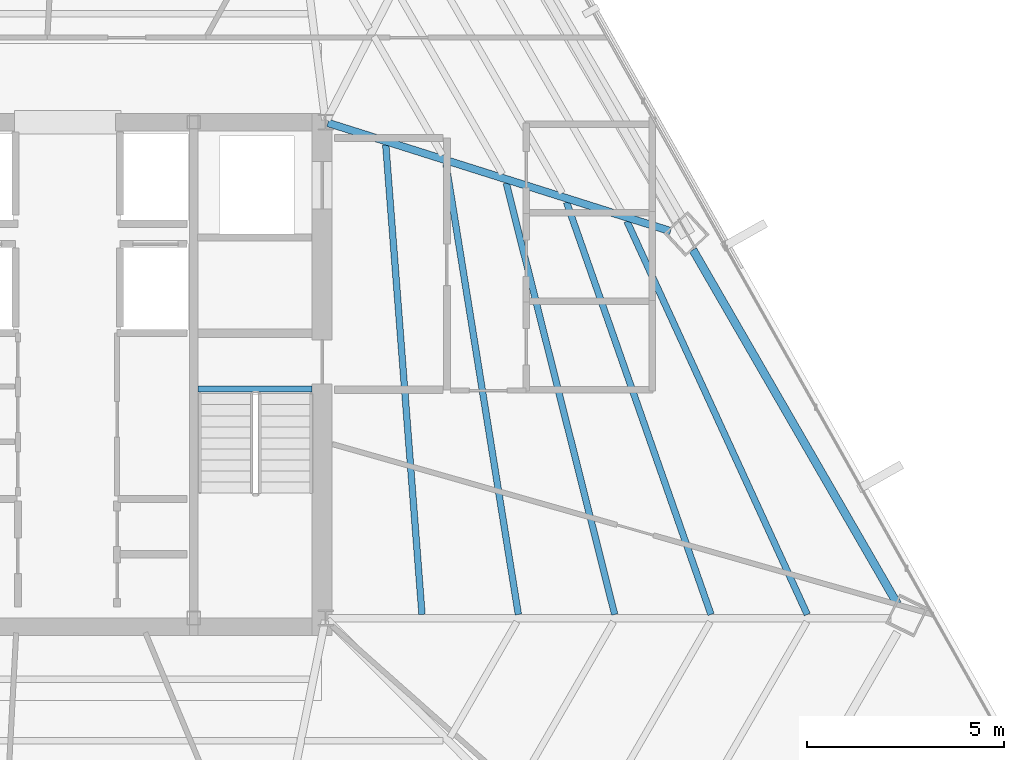
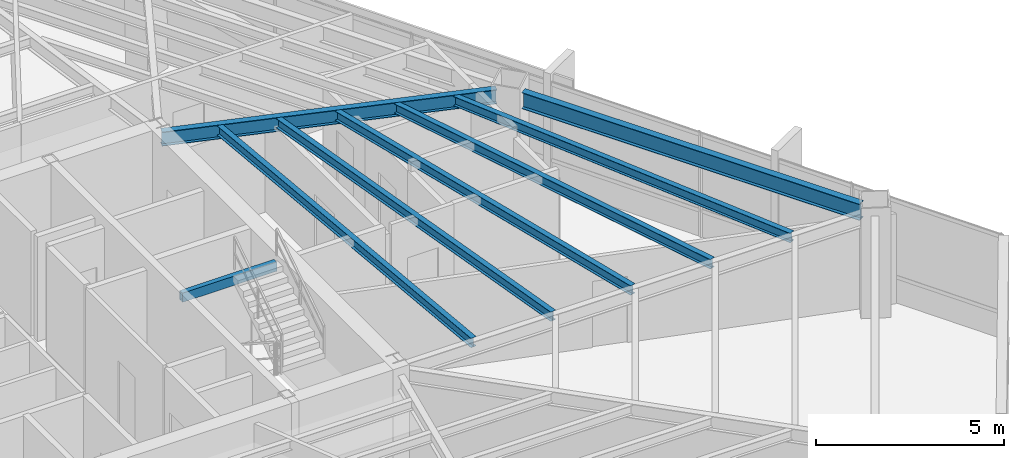
# One storey, part 23 of 42: 8 beams.
"""IFC4 building model written with IfcOpenShell, lengths in metres."""

from ifc_helpers import new_model, si_unit, direction, frame, origin, origin_2d, place, context, subcontext, project, spatial, hollow_rectangle, i_section, extrude, source, transform, mapped, material, material_profile, profile_set, type_object, type_shapes, element, save


model = new_model("IFC4")

# Units and contexts
model_context = context("Model", 3, precision=1e-05, world=origin(), true_north=direction((0.0, 1.0)))
body_context = subcontext(model_context, "Body", "Model", "MODEL_VIEW")
ifc_project = project(units=[si_unit("LENGTHUNIT", "METRE"), si_unit("AREAUNIT", "SQUARE_METRE"), si_unit("VOLUMEUNIT", "CUBIC_METRE"), si_unit("PLANEANGLEUNIT", "RADIAN"), si_unit("MASSUNIT", "GRAM", prefix="KILO")], contexts=[model_context])

# Site, building, storey
site_placement = place(None, origin())
site = spatial("IfcSite", under=ifc_project, at=site_placement, CompositionType="ELEMENT")
building_placement = place(site_placement, origin())
building = spatial("IfcBuilding", under=site, at=building_placement, Name="Caelisora Broadcast Tower", CompositionType="ELEMENT")
storey_placement = place(building_placement, frame((0.0, 0.0, 187.699951171875)))
storey = spatial("IfcBuildingStorey", under=building, at=storey_placement, Name="L49", CompositionType="ELEMENT", Elevation=187.699951171875)

# Beams
ifc_material_1 = material(Name="Steel Grade 350 (AS/NZS 1163 C350L0)", Category="steel")
ifc_material_profile_1 = material_profile(ifc_material_1, hollow_rectangle(XDim=0.14990234375, YDim=0.300048828125, WallThickness=0.010009765625, at=origin_2d()), Name="Steel Grade 350 (AS/NZS 1163 C350L0)")
ifc_profile_set_1 = profile_set([ifc_material_profile_1], Name="Steel Grade 350 (AS/NZS 1163 C350L0)")
beam_type_1 = type_object("IfcBeamType", Name="SB05", PredefinedType="JOIST", material=ifc_profile_set_1)
shared_shape_1 = source(origin(), body_context, "Body", "SweptSolid", [
    extrude(hollow_rectangle(XDim=0.14990234375, YDim=0.300048828125, WallThickness=0.010009765625, at=origin_2d()), origin(), (0.0, 0.0, 1.0), 2.89990234375),
])
type_shapes(beam_type_1, [shared_shape_1])
beam_1_placement = place(storey_placement, frame((42.260009765625, 23.219970703125, 3.25), z_axis=(1.0, 0.0, 0.0), x_axis=(0.0, 1.0, 0.0)))
element("IfcBeam", 1, at=beam_1_placement, inside=storey, type_object=beam_type_1, Name="L49 beam SB05", PredefinedType="JOIST", context=body_context, shape_type="MappedRepresentation", body=[
    mapped(shared_shape_1, transform((0.0, 0.0, 0.0), scale=1.0)),
])
ifc_material_2 = material(Name="Steel Grade 350 (AS/NZS 3679.1)", Category="steel")
ifc_material_profile_2 = material_profile(ifc_material_2, i_section(OverallWidth=0.208984375, OverallDepth=0.532958984375, WebThickness=0.01025390625, FlangeThickness=0.015625, at=origin_2d()), Name="Steel Grade 350 (AS/NZS 3679.1)")
ifc_profile_set_2 = profile_set([ifc_material_profile_2], Name="Steel Grade 350 (AS/NZS 3679.1)")
beam_type_2 = type_object("IfcBeamType", Name="PG05", PredefinedType="BEAM", material=ifc_profile_set_2)
shared_shape_2 = source(origin(), body_context, "Body", "SweptSolid", [
    extrude(i_section(OverallWidth=0.208984375, OverallDepth=0.532958984375, WebThickness=0.01025390625, FlangeThickness=0.015625, at=origin_2d()), origin(), (0.0, 0.0, 1.0), 10.39306640625),
])
type_shapes(beam_type_2, [shared_shape_2])
beam_2_placement = place(storey_placement, frame((60.029541015625, 17.756591796875, 3.133544921875), z_axis=(-0.499996963119, 0.866027157121, 0.0), x_axis=(-0.866027157121, -0.499996963119, 0.0)))
element("IfcBeam", 2, at=beam_2_placement, inside=storey, type_object=beam_type_2, Name="L49 beam PG05", PredefinedType="BEAM", context=body_context, shape_type="MappedRepresentation", body=[
    mapped(shared_shape_2, transform((0.0, 0.0, 0.0), scale=1.0)),
])
ifc_material_profile_3 = material_profile(ifc_material_2, i_section(OverallWidth=0.19091796875, OverallDepth=0.46044921875, WebThickness=0.010009765625, FlangeThickness=0.01611328125, at=origin_2d()), Name="Steel Grade 350 (AS/NZS 3679.1)")
ifc_profile_set_3 = profile_set([ifc_material_profile_3], Name="Steel Grade 350 (AS/NZS 3679.1)")
beam_type_3 = type_object("IfcBeamType", Name="PG06", PredefinedType="BEAM", material=ifc_profile_set_3)
shared_shape_3 = source(origin(), body_context, "Body", "SweptSolid", [
    extrude(i_section(OverallWidth=0.19091796875, OverallDepth=0.46044921875, WebThickness=0.010009765625, FlangeThickness=0.01611328125, at=origin_2d()), origin(), (0.0, 0.0, 1.0), 9.133544921875),
])
type_shapes(beam_type_3, [shared_shape_3])
beam_3_placement = place(storey_placement, frame((45.55712890625, 29.98193359375, 3.169921875), z_axis=(0.95356327218, -0.301192772073, 0.0), x_axis=(0.301192772073, 0.95356327218, 0.0)))
element("IfcBeam", 3, at=beam_3_placement, inside=storey, type_object=beam_type_3, Name="L49 beam PG06", PredefinedType="BEAM", context=body_context, shape_type="MappedRepresentation", body=[
    mapped(shared_shape_3, transform((0.0, 0.0, 0.0), scale=1.0)),
])
ifc_material_profile_4 = material_profile(ifc_material_2, i_section(OverallWidth=0.166015625, OverallDepth=0.30712890625, WebThickness=0.006591796875, FlangeThickness=0.01171875, at=origin_2d()), Name="Steel Grade 350 (AS/NZS 3679.1)")
ifc_profile_set_4 = profile_set([ifc_material_profile_4], Name="Steel Grade 350 (AS/NZS 3679.1)")
beam_type_4 = type_object("IfcBeamType", Name="SB03", PredefinedType="JOIST", material=ifc_profile_set_4)
shared_shape_4 = source(origin(), body_context, "Body", "SweptSolid", [
    extrude(i_section(OverallWidth=0.166015625, OverallDepth=0.30712890625, WebThickness=0.006591796875, FlangeThickness=0.01171875, at=origin_2d()), origin(), (0.0, 0.0, 1.0), 11.96337890625),
])
beam_4_placement = place(storey_placement, frame((47.94921875, 17.491943359375, 3.246337890625), z_axis=(-0.076955547682, 0.997034524819, 0.0), x_axis=(-0.997034524819, -0.076955547682, 0.0)))
element("IfcBeam", 4, at=beam_4_placement, inside=storey, type_object=beam_type_4, Name="L49 beam SB03", PredefinedType="JOIST", context=body_context, shape_type="MappedRepresentation", body=[
    mapped(shared_shape_4, transform((0.0, 0.0, 0.0), scale=1.0)),
])
shared_shape_5 = source(origin(), body_context, "Body", "SweptSolid", [
    extrude(i_section(OverallWidth=0.166015625, OverallDepth=0.30712890625, WebThickness=0.006591796875, FlangeThickness=0.01171875, at=origin_2d()), origin(), (0.0, 0.0, 1.0), 11.59228515625),
])
beam_5_placement = place(storey_placement, frame((50.397705078125, 17.4912109375, 3.246337890625), z_axis=(-0.158692759986, 0.987328014354, 0.0), x_axis=(-0.987328014354, -0.158692759986, 0.0)))
element("IfcBeam", 5, at=beam_5_placement, inside=storey, type_object=beam_type_4, Name="L49 beam SB03", PredefinedType="JOIST", context=body_context, shape_type="MappedRepresentation", body=[
    mapped(shared_shape_5, transform((0.0, 0.0, 0.0), scale=1.0)),
])
shared_shape_6 = source(origin(), body_context, "Body", "SweptSolid", [
    extrude(i_section(OverallWidth=0.166015625, OverallDepth=0.30712890625, WebThickness=0.006591796875, FlangeThickness=0.01171875, at=origin_2d()), origin(), (0.0, 0.0, 1.0), 11.303466796875),
])
beam_6_placement = place(storey_placement, frame((52.845458984375, 17.49072265625, 3.246337890625), z_axis=(-0.24385166463, 0.969812541503, 0.0), x_axis=(-0.969812541503, -0.24385166463, 0.0)))
element("IfcBeam", 6, at=beam_6_placement, inside=storey, type_object=beam_type_4, Name="L49 beam SB03", PredefinedType="JOIST", context=body_context, shape_type="MappedRepresentation", body=[
    mapped(shared_shape_6, transform((0.0, 0.0, 0.0), scale=1.0)),
])
shared_shape_7 = source(origin(), body_context, "Body", "SweptSolid", [
    extrude(i_section(OverallWidth=0.166015625, OverallDepth=0.30712890625, WebThickness=0.006591796875, FlangeThickness=0.01171875, at=origin_2d()), origin(), (0.0, 0.0, 1.0), 11.1025390625),
])
beam_7_placement = place(storey_placement, frame((55.29248046875, 17.490234375, 3.246337890625), z_axis=(-0.33061193512, 0.943766787059, 0.0), x_axis=(-0.943766787059, -0.33061193512, 0.0)))
element("IfcBeam", 7, at=beam_7_placement, inside=storey, type_object=beam_type_4, Name="L49 beam SB03", PredefinedType="JOIST", context=body_context, shape_type="MappedRepresentation", body=[
    mapped(shared_shape_7, transform((0.0, 0.0, 0.0), scale=1.0)),
])
shared_shape_8 = source(origin(), body_context, "Body", "SweptSolid", [
    extrude(i_section(OverallWidth=0.166015625, OverallDepth=0.30712890625, WebThickness=0.006591796875, FlangeThickness=0.01171875, at=origin_2d()), origin(), (0.0, 0.0, 1.0), 10.994140625),
])
type_shapes(beam_type_4, [shared_shape_4, shared_shape_5, shared_shape_6, shared_shape_7, shared_shape_8])
beam_8_placement = place(storey_placement, frame((57.73876953125, 17.48974609375, 3.246337890625), z_axis=(-0.416767108584, 0.909013298694, 0.0), x_axis=(-0.909013298694, -0.416767108584, 0.0)))
element("IfcBeam", 8, at=beam_8_placement, inside=storey, type_object=beam_type_4, Name="L49 beam SB03", PredefinedType="JOIST", context=body_context, shape_type="MappedRepresentation", body=[
    mapped(shared_shape_8, transform((0.0, 0.0, 0.0), scale=1.0)),
])

save(model, "model.ifc")
